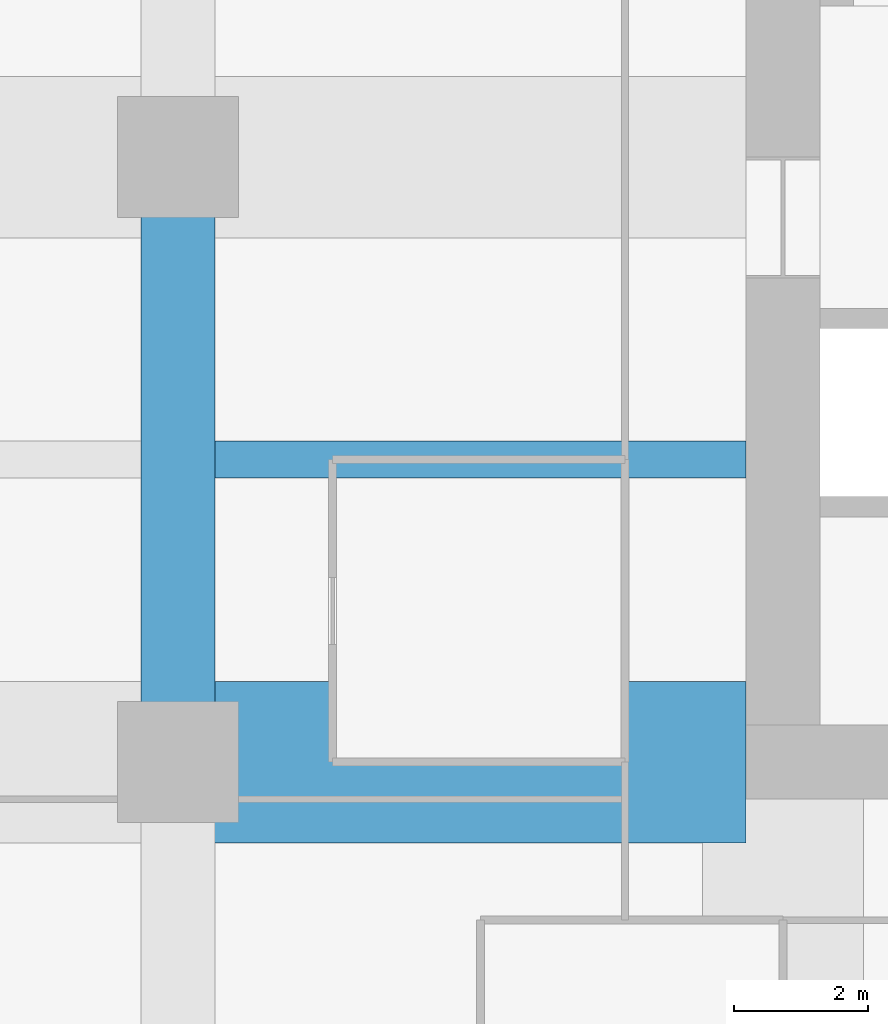
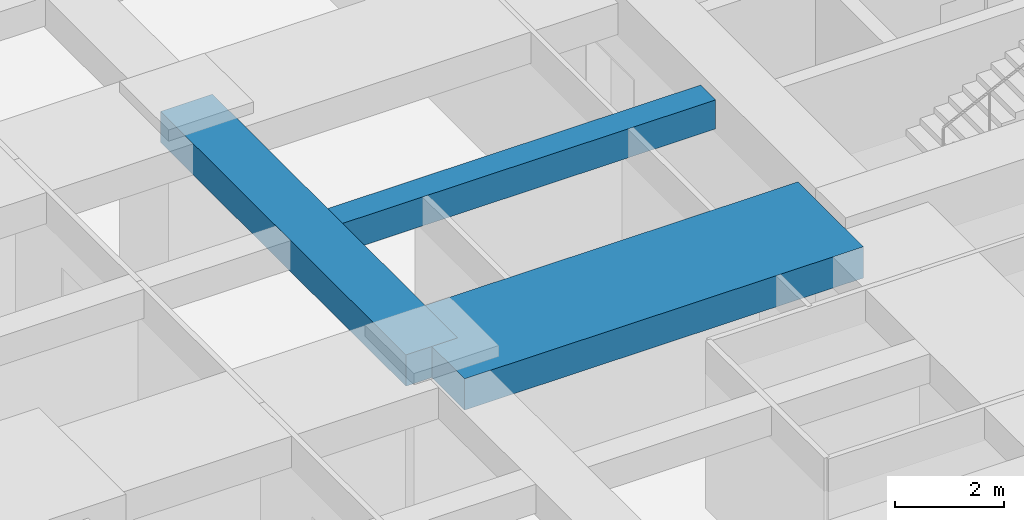
# One storey, part 11 of 36: 3 beams.
"""IFC4 building model written with IfcOpenShell, lengths in metres."""

from ifc_helpers import new_model, si_unit, direction, frame, origin, origin_2d, place, context, subcontext, project, spatial, rectangle, extrude, material, material_profile, profile_set, type_object, element, save


model = new_model("IFC4")

# Units and contexts
model_context = context("Model", 3, precision=1e-05, world=origin(), true_north=direction((0.0, 1.0)))
body_context = subcontext(model_context, "Body", "Model", "MODEL_VIEW")
ifc_project = project(units=[si_unit("LENGTHUNIT", "METRE"), si_unit("AREAUNIT", "SQUARE_METRE"), si_unit("VOLUMEUNIT", "CUBIC_METRE"), si_unit("PLANEANGLEUNIT", "RADIAN"), si_unit("MASSUNIT", "GRAM", prefix="KILO")], contexts=[model_context])

# Site, building, storey
site_placement = place(None, origin())
site = spatial("IfcSite", under=ifc_project, at=site_placement, CompositionType="ELEMENT")
building_placement = place(site_placement, origin())
building = spatial("IfcBuilding", under=site, at=building_placement, Name="Zorevar Civic Tower", CompositionType="ELEMENT")
storey_placement = place(building_placement, frame((0.0, 0.0, 166.199951171875)))
storey = spatial("IfcBuildingStorey", under=building, at=storey_placement, Name="L40", CompositionType="ELEMENT", Elevation=166.199951171875)

# Beams
ifc_material_1 = material(Name="Concrete C50/60", Category="concrete")
ifc_material_profile_1 = material_profile(ifc_material_1, rectangle(XDim=1.10009765625, YDim=0.699951171875, at=origin_2d()), Name="RC 1100x700")
ifc_profile_set_1 = profile_set([ifc_material_profile_1], Name="Concrete C50/60")
beam_type_1 = type_object("IfcBeamType", Name="Beam RC 1100x700", PredefinedType="BEAM", material=ifc_profile_set_1)
beam_1_placement = place(storey_placement, frame((9.0, 18.0, 3.400146484375), z_axis=(0.0, 1.0, 0.0), x_axis=(-1.0, 0.0, 0.0)))
element("IfcBeam", 1, at=beam_1_placement, inside=storey, type_object=beam_type_1, Name="Girder L41", PredefinedType="BEAM", context=body_context, shape_type="SweptSolid", body=[
    extrude(rectangle(XDim=1.10009765625, YDim=0.699951171875, at=origin_2d()), origin(), (0.0, 0.0, 1.0), 9.0),
])
ifc_material_2 = material(Name="Concrete C50/60", Category="concrete")
ifc_material_profile_2 = material_profile(ifc_material_2, rectangle(XDim=2.39990234375, YDim=0.699951171875, at=origin_2d()), Name="RC 2400x700")
ifc_profile_set_2 = profile_set([ifc_material_profile_2], Name="Concrete C50/60")
beam_type_2 = type_object("IfcBeamType", Name="Beam RC 2400x700", PredefinedType="BEAM", material=ifc_profile_set_2)
beam_2_placement = place(storey_placement, frame((9.0, 18.0, 3.400146484375), z_axis=(1.0, 0.0, 0.0), x_axis=(0.0, 1.0, 0.0)))
element("IfcBeam", 2, at=beam_2_placement, inside=storey, type_object=beam_type_2, Name="Girder L41", PredefinedType="BEAM", context=body_context, shape_type="SweptSolid", body=[
    extrude(rectangle(XDim=2.39990234375, YDim=0.699951171875, at=origin_2d()), origin(), (0.0, 0.0, 1.0), 8.449951171875),
])
ifc_material_3 = material(Name="Concrete C50/60", Category="concrete")
ifc_material_profile_3 = material_profile(ifc_material_3, rectangle(XDim=0.550048828125, YDim=0.64990234375, at=origin_2d()), Name="RC 550x650")
ifc_profile_set_3 = profile_set([ifc_material_profile_3], Name="Concrete C50/60")
beam_type_3 = type_object("IfcBeamType", Name="Beam RC 550x650", PredefinedType="BEAM", material=ifc_profile_set_3)
beam_3_placement = place(storey_placement, frame((9.550048828125, 22.5, 3.425048828125), z_axis=(1.0, 0.0, 0.0), x_axis=(0.0, 1.0, 0.0)))
element("IfcBeam", 3, at=beam_3_placement, inside=storey, type_object=beam_type_3, Name="Secondary beam L41", PredefinedType="BEAM", context=body_context, shape_type="SweptSolid", body=[
    extrude(rectangle(XDim=0.550048828125, YDim=0.64990234375, at=origin_2d()), origin(), (0.0, 0.0, 1.0), 7.89990234375),
])

save(model, "model.ifc")
